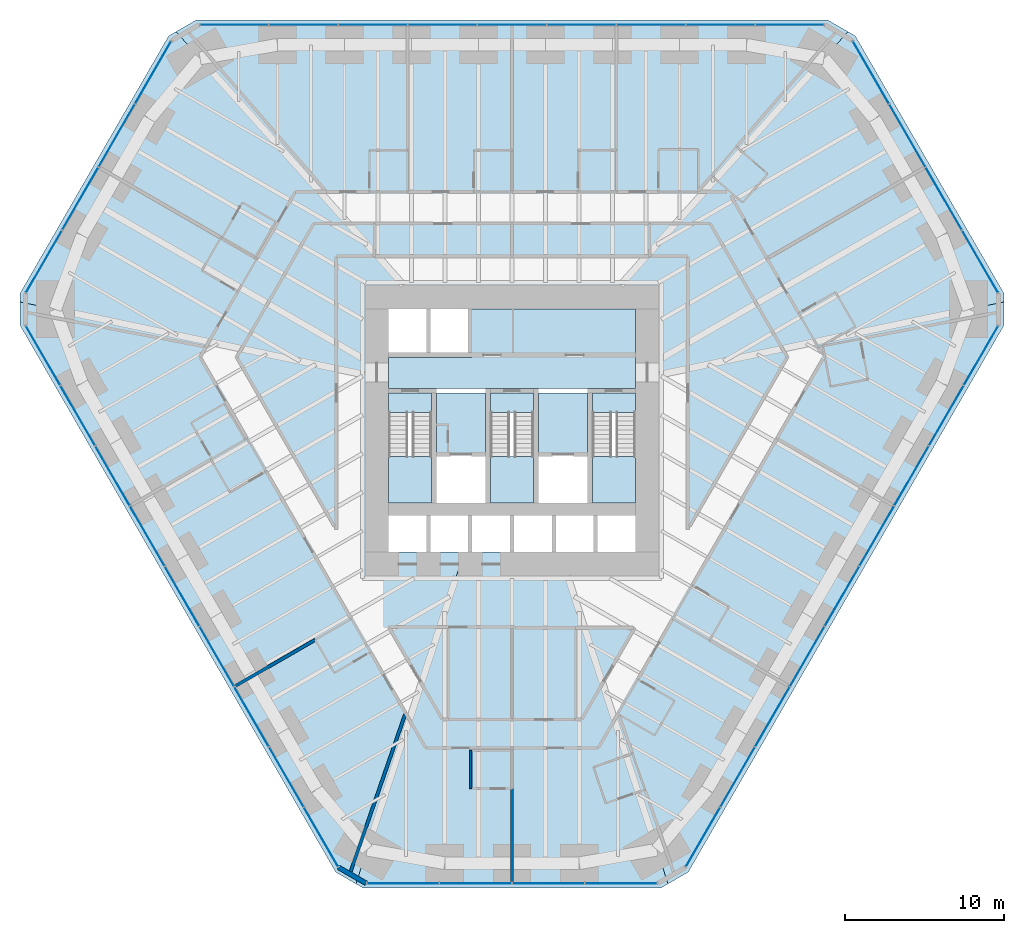
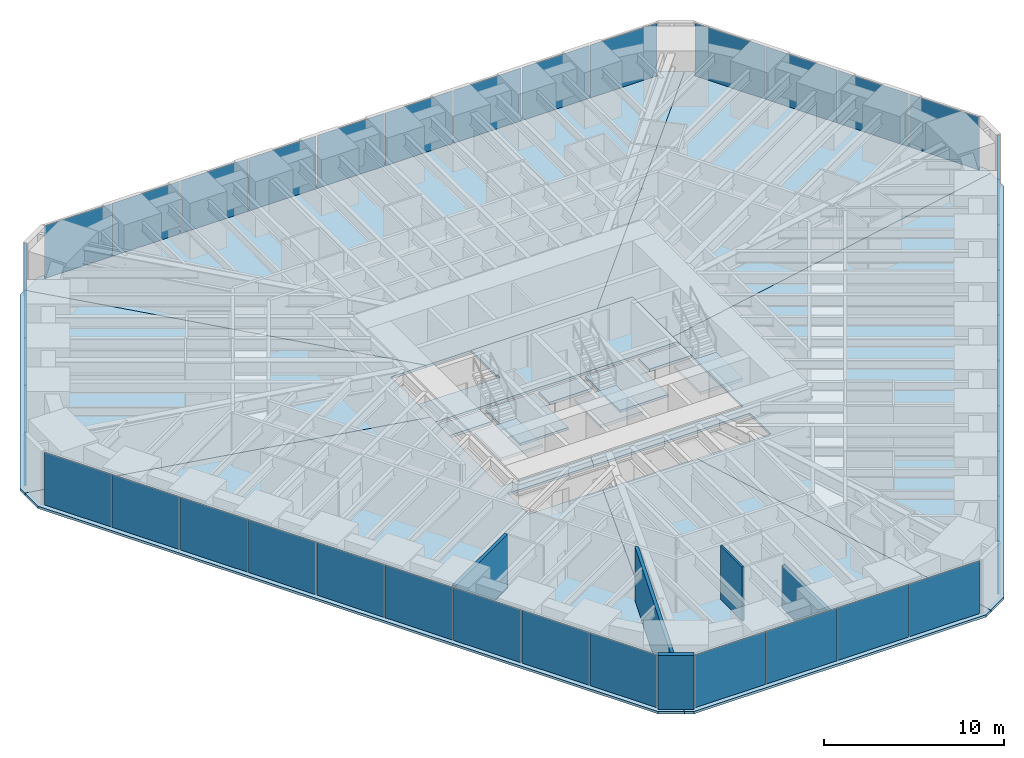
# One storey, part 10 of 17: 39 plates, 15 slabs, 5 walls, 9 elements without a shape of their own.
"""IFC4 building model written with IfcOpenShell, lengths in metres."""

from ifc_helpers import new_model, si_unit, direction, frame, frame_2d, origin, origin_2d, place, context, subcontext, project, spatial, polyline, rectangle, outline, extrude, material, layer, layer_set, type_object, element, aggregate, save


model = new_model("IFC4")

# Units and contexts
model_context = context("Model", 3, precision=1e-05, world=origin(), true_north=direction((0.0, 1.0)))
body_context = subcontext(model_context, "Body", "Model", "MODEL_VIEW")
ifc_project = project(units=[si_unit("LENGTHUNIT", "METRE"), si_unit("AREAUNIT", "SQUARE_METRE"), si_unit("VOLUMEUNIT", "CUBIC_METRE"), si_unit("PLANEANGLEUNIT", "RADIAN"), si_unit("MASSUNIT", "GRAM", prefix="KILO")], contexts=[model_context])

# Site, building, storey
site_placement = place(None, origin())
site = spatial("IfcSite", under=ifc_project, at=site_placement, CompositionType="ELEMENT")
building_placement = place(site_placement, origin())
building = spatial("IfcBuilding", under=site, at=building_placement, Name="Sandreach Pilgrim Tower", CompositionType="ELEMENT")
storey_placement = place(building_placement, frame((0.0, 0.0, 45.800048828125)))
storey = spatial("IfcBuildingStorey", under=building, at=storey_placement, Name="L10", CompositionType="ELEMENT", Elevation=45.800048828125)

# Curtain wall, plates
ifc_material_1 = material(Name="Aluminium framed curtain wall", Category="aluminium")
curtain_wall_type = type_object("IfcCurtainWallType", Name="Hostel tower curtain wall", PredefinedType="NOTDEFINED", material=ifc_material_1)
curtain_wall_1_placement = place(storey_placement, origin())
curtain_wall_1 = element("IfcCurtainWall", 1, at=curtain_wall_1_placement, inside=storey, type_object=curtain_wall_type, Name="CW-1 L10 N", PredefinedType="NOTDEFINED")
ifc_material_2 = material(Name="Insulating glass unit 6 heat-strengthened + 12 argon + 6 heat-strengthened", Category="glass")
ifc_layer_1 = layer(ifc_material_2, 0.02392578125)
ifc_layer_set_1 = layer_set([ifc_layer_1], Name="CW-1 panel")
plate_type = type_object("IfcPlateType", Name="CW-1 panel", PredefinedType="CURTAIN_PANEL", material=ifc_layer_set_1)
plate_1_placement = place(storey_placement, frame((-17.469970703125, 23.94873046875, 0.0), z_axis=(0.0, 0.0, 1.0), x_axis=(1.0, 0.0, 0.0)))
plate_1 = element("IfcPlate", 2, at=plate_1_placement, type_object=plate_type, Name="CW-1 panel 1", PredefinedType="CURTAIN_PANEL", context=body_context, shape_type="SweptSolid", body=[
    extrude(rectangle(XDim=4.274169921875, YDim=0.02392578125, at=origin_2d()), origin(), (0.0, 0.0, 1.0), 3.570068359375),
])
plate_2_placement = place(storey_placement, frame((-13.11474609375, 23.94873046875, 0.0), z_axis=(0.0, 0.0, 1.0), x_axis=(1.0, 0.0, 0.0)))
plate_2 = element("IfcPlate", 3, at=plate_2_placement, type_object=plate_type, Name="CW-1 panel 2", PredefinedType="CURTAIN_PANEL", context=body_context, shape_type="SweptSolid", body=[
    extrude(rectangle(XDim=4.306640625, YDim=0.02392578125, at=origin_2d()), origin(), (0.0, 0.0, 1.0), 3.570068359375),
])
plate_3_placement = place(storey_placement, frame((-8.7431640625, 23.94873046875, 0.0), z_axis=(0.0, 0.0, 1.0), x_axis=(1.0, 0.0, 0.0)))
plate_3 = element("IfcPlate", 4, at=plate_3_placement, type_object=plate_type, Name="CW-1 panel 3", PredefinedType="CURTAIN_PANEL", context=body_context, shape_type="SweptSolid", body=[
    extrude(rectangle(XDim=4.306640625, YDim=0.02392578125, at=origin_2d()), origin(), (0.0, 0.0, 1.0), 3.570068359375),
])
plate_4_placement = place(storey_placement, frame((-4.37158203125, 23.94873046875, 0.0), z_axis=(0.0, 0.0, 1.0), x_axis=(1.0, 0.0, 0.0)))
plate_4 = element("IfcPlate", 5, at=plate_4_placement, type_object=plate_type, Name="CW-1 panel 4", PredefinedType="CURTAIN_PANEL", context=body_context, shape_type="SweptSolid", body=[
    extrude(rectangle(XDim=4.306640625, YDim=0.02392578125, at=origin_2d()), origin(), (0.0, 0.0, 1.0), 3.570068359375),
])
plate_5_placement = place(storey_placement, frame((0.0, 23.94873046875, 0.0), z_axis=(0.0, 0.0, 1.0), x_axis=(1.0, 0.0, 0.0)))
plate_5 = element("IfcPlate", 6, at=plate_5_placement, type_object=plate_type, Name="CW-1 panel 5", PredefinedType="CURTAIN_PANEL", context=body_context, shape_type="SweptSolid", body=[
    extrude(rectangle(XDim=4.306640625, YDim=0.02392578125, at=origin_2d()), origin(), (0.0, 0.0, 1.0), 3.570068359375),
])
plate_6_placement = place(storey_placement, frame((4.37158203125, 23.94873046875, 0.0), z_axis=(0.0, 0.0, 1.0), x_axis=(1.0, 0.0, 0.0)))
plate_6 = element("IfcPlate", 7, at=plate_6_placement, type_object=plate_type, Name="CW-1 panel 6", PredefinedType="CURTAIN_PANEL", context=body_context, shape_type="SweptSolid", body=[
    extrude(rectangle(XDim=4.306640625, YDim=0.02392578125, at=origin_2d()), origin(), (0.0, 0.0, 1.0), 3.570068359375),
])
plate_7_placement = place(storey_placement, frame((8.7431640625, 23.94873046875, 0.0), z_axis=(0.0, 0.0, 1.0), x_axis=(1.0, 0.0, 0.0)))
plate_7 = element("IfcPlate", 8, at=plate_7_placement, type_object=plate_type, Name="CW-1 panel 7", PredefinedType="CURTAIN_PANEL", context=body_context, shape_type="SweptSolid", body=[
    extrude(rectangle(XDim=4.306640625, YDim=0.02392578125, at=origin_2d()), origin(), (0.0, 0.0, 1.0), 3.570068359375),
])
plate_8_placement = place(storey_placement, frame((13.11474609375, 23.94873046875, 0.0), z_axis=(0.0, 0.0, 1.0), x_axis=(1.0, 0.0, 0.0)))
plate_8 = element("IfcPlate", 9, at=plate_8_placement, type_object=plate_type, Name="CW-1 panel 8", PredefinedType="CURTAIN_PANEL", context=body_context, shape_type="SweptSolid", body=[
    extrude(rectangle(XDim=4.306640625, YDim=0.02392578125, at=origin_2d()), origin(), (0.0, 0.0, 1.0), 3.570068359375),
])
plate_9_placement = place(storey_placement, frame((17.469970703125, 23.94873046875, 0.0), z_axis=(0.0, 0.0, 1.0), x_axis=(1.0, 0.0, 0.0)))
plate_9 = element("IfcPlate", 10, at=plate_9_placement, type_object=plate_type, Name="CW-1 panel 9", PredefinedType="CURTAIN_PANEL", context=body_context, shape_type="SweptSolid", body=[
    extrude(rectangle(XDim=4.274169921875, YDim=0.02392578125, at=origin_2d()), origin(), (0.0, 0.0, 1.0), 3.570068359375),
])
aggregate(curtain_wall_1, [plate_1, plate_2, plate_3, plate_4, plate_5, plate_6, plate_7, plate_8, plate_9])

curtain_wall_2_placement = place(storey_placement, origin())
curtain_wall_2 = element("IfcCurtainWall", 11, at=curtain_wall_2_placement, inside=storey, type_object=curtain_wall_type, Name="CW-1 L10 NE", PredefinedType="NOTDEFINED")
plate_10_placement = place(storey_placement, frame((22.558837890625, 20.94873046875, 0.0), z_axis=(0.0, 0.0, 1.0), x_axis=(0.5, -0.866025403784, 0.0)))
plate_10 = element("IfcPlate", 12, at=plate_10_placement, type_object=plate_type, Name="CW-1 panel 1", PredefinedType="CURTAIN_PANEL", context=body_context, shape_type="SweptSolid", body=[
    extrude(rectangle(XDim=4.488525390625, YDim=0.02392578125, at=origin_2d()), origin(), (0.0, 0.0, 1.0), 3.570068359375),
])
plate_11_placement = place(storey_placement, frame((24.84375, 16.9912109375, 0.0), z_axis=(0.0, 0.0, 1.0), x_axis=(0.5, -0.866025403784, 0.0)))
plate_11 = element("IfcPlate", 13, at=plate_11_placement, type_object=plate_type, Name="CW-1 panel 2", PredefinedType="CURTAIN_PANEL", context=body_context, shape_type="SweptSolid", body=[
    extrude(rectangle(XDim=4.52099609375, YDim=0.02392578125, at=origin_2d()), origin(), (0.0, 0.0, 1.0), 3.570068359375),
])
plate_12_placement = place(storey_placement, frame((27.13671875, 13.01953125, 0.0), z_axis=(0.0, 0.0, 1.0), x_axis=(0.5, -0.866025403784, 0.0)))
plate_12 = element("IfcPlate", 14, at=plate_12_placement, type_object=plate_type, Name="CW-1 panel 3", PredefinedType="CURTAIN_PANEL", context=body_context, shape_type="SweptSolid", body=[
    extrude(rectangle(XDim=4.52099609375, YDim=0.02392578125, at=origin_2d()), origin(), (0.0, 0.0, 1.0), 3.570068359375),
])
plate_13_placement = place(storey_placement, frame((29.421630859375, 9.06201171875, 0.0), z_axis=(0.0, 0.0, 1.0), x_axis=(0.5, -0.866025403784, 0.0)))
plate_13 = element("IfcPlate", 15, at=plate_13_placement, type_object=plate_type, Name="CW-1 panel 4", PredefinedType="CURTAIN_PANEL", context=body_context, shape_type="SweptSolid", body=[
    extrude(rectangle(XDim=4.488525390625, YDim=0.02392578125, at=origin_2d()), origin(), (0.0, 0.0, 1.0), 3.570068359375),
])
aggregate(curtain_wall_2, [plate_10, plate_11, plate_12, plate_13])

curtain_wall_3_placement = place(storey_placement, origin())
curtain_wall_3 = element("IfcCurtainWall", 16, at=curtain_wall_3_placement, inside=storey, type_object=curtain_wall_type, Name="CW-1 L10 SE", PredefinedType="NOTDEFINED")
plate_14_placement = place(storey_placement, frame((29.475341796875, 3.1552734375, 0.0), z_axis=(0.0, 0.0, 1.0), x_axis=(-0.5, -0.866025403784, 0.0)))
plate_14 = element("IfcPlate", 17, at=plate_14_placement, type_object=plate_type, Name="CW-1 panel 1", PredefinedType="CURTAIN_PANEL", context=body_context, shape_type="SweptSolid", body=[
    extrude(rectangle(XDim=4.274169921875, YDim=0.02392578125, at=origin_2d()), origin(), (0.0, 0.0, 1.0), 3.570068359375),
])
plate_15_placement = place(storey_placement, frame((27.297607421875, -0.61669921875, 0.0), z_axis=(0.0, 0.0, 1.0), x_axis=(-0.5, -0.866025403784, 0.0)))
plate_15 = element("IfcPlate", 18, at=plate_15_placement, type_object=plate_type, Name="CW-1 panel 2", PredefinedType="CURTAIN_PANEL", context=body_context, shape_type="SweptSolid", body=[
    extrude(rectangle(XDim=4.306640625, YDim=0.02392578125, at=origin_2d()), origin(), (0.0, 0.0, 1.0), 3.570068359375),
])
plate_16_placement = place(storey_placement, frame((25.11181640625, -4.402587890625, 0.0), z_axis=(0.0, 0.0, 1.0), x_axis=(-0.5, -0.866025403784, 0.0)))
plate_16 = element("IfcPlate", 19, at=plate_16_placement, type_object=plate_type, Name="CW-1 panel 3", PredefinedType="CURTAIN_PANEL", context=body_context, shape_type="SweptSolid", body=[
    extrude(rectangle(XDim=4.306640625, YDim=0.02392578125, at=origin_2d()), origin(), (0.0, 0.0, 1.0), 3.570068359375),
])
plate_17_placement = place(storey_placement, frame((22.926025390625, -8.1884765625, 0.0), z_axis=(0.0, 0.0, 1.0), x_axis=(-0.5, -0.866025403784, 0.0)))
plate_17 = element("IfcPlate", 20, at=plate_17_placement, type_object=plate_type, Name="CW-1 panel 4", PredefinedType="CURTAIN_PANEL", context=body_context, shape_type="SweptSolid", body=[
    extrude(rectangle(XDim=4.306640625, YDim=0.02392578125, at=origin_2d()), origin(), (0.0, 0.0, 1.0), 3.570068359375),
])
plate_18_placement = place(storey_placement, frame((20.740234375, -11.974365234375, 0.0), z_axis=(0.0, 0.0, 1.0), x_axis=(-0.5, -0.866025403784, 0.0)))
plate_18 = element("IfcPlate", 21, at=plate_18_placement, type_object=plate_type, Name="CW-1 panel 5", PredefinedType="CURTAIN_PANEL", context=body_context, shape_type="SweptSolid", body=[
    extrude(rectangle(XDim=4.306640625, YDim=0.02392578125, at=origin_2d()), origin(), (0.0, 0.0, 1.0), 3.570068359375),
])
plate_19_placement = place(storey_placement, frame((18.554443359375, -15.76025390625, 0.0), z_axis=(0.0, 0.0, 1.0), x_axis=(-0.5, -0.866025403784, 0.0)))
plate_19 = element("IfcPlate", 22, at=plate_19_placement, type_object=plate_type, Name="CW-1 panel 6", PredefinedType="CURTAIN_PANEL", context=body_context, shape_type="SweptSolid", body=[
    extrude(rectangle(XDim=4.306640625, YDim=0.02392578125, at=origin_2d()), origin(), (0.0, 0.0, 1.0), 3.570068359375),
])
plate_20_placement = place(storey_placement, frame((16.36865234375, -19.546142578125, 0.0), z_axis=(0.0, 0.0, 1.0), x_axis=(-0.5, -0.866025403784, 0.0)))
plate_20 = element("IfcPlate", 23, at=plate_20_placement, type_object=plate_type, Name="CW-1 panel 7", PredefinedType="CURTAIN_PANEL", context=body_context, shape_type="SweptSolid", body=[
    extrude(rectangle(XDim=4.306640625, YDim=0.02392578125, at=origin_2d()), origin(), (0.0, 0.0, 1.0), 3.570068359375),
])
plate_21_placement = place(storey_placement, frame((14.182861328125, -23.33203125, 0.0), z_axis=(0.0, 0.0, 1.0), x_axis=(-0.5, -0.866025403784, 0.0)))
plate_21 = element("IfcPlate", 24, at=plate_21_placement, type_object=plate_type, Name="CW-1 panel 8", PredefinedType="CURTAIN_PANEL", context=body_context, shape_type="SweptSolid", body=[
    extrude(rectangle(XDim=4.306640625, YDim=0.02392578125, at=origin_2d()), origin(), (0.0, 0.0, 1.0), 3.570068359375),
])
plate_22_placement = place(storey_placement, frame((12.005126953125, -27.103759765625, 0.0), z_axis=(0.0, 0.0, 1.0), x_axis=(-0.5, -0.866025403784, 0.0)))
plate_22 = element("IfcPlate", 25, at=plate_22_placement, type_object=plate_type, Name="CW-1 panel 9", PredefinedType="CURTAIN_PANEL", context=body_context, shape_type="SweptSolid", body=[
    extrude(rectangle(XDim=4.274169921875, YDim=0.02392578125, at=origin_2d()), origin(), (0.0, 0.0, 1.0), 3.570068359375),
])
aggregate(curtain_wall_3, [plate_14, plate_15, plate_16, plate_17, plate_18, plate_19, plate_20, plate_21, plate_22])

curtain_wall_4_placement = place(storey_placement, origin())
curtain_wall_4 = element("IfcCurtainWall", 26, at=curtain_wall_4_placement, inside=storey, type_object=curtain_wall_type, Name="CW-1 L10 S", PredefinedType="NOTDEFINED")
plate_23_placement = place(storey_placement, frame((6.86279296875, -30.010986328125, 0.0), z_axis=(0.0, 0.0, 1.0), x_axis=(-1.0, 0.0, 0.0)))
plate_23 = element("IfcPlate", 27, at=plate_23_placement, type_object=plate_type, Name="CW-1 panel 1", PredefinedType="CURTAIN_PANEL", context=body_context, shape_type="SweptSolid", body=[
    extrude(rectangle(XDim=4.488525390625, YDim=0.02392578125, at=origin_2d()), origin(), (0.0, 0.0, 1.0), 3.570068359375),
])
plate_24_placement = place(storey_placement, frame((2.29296875, -30.010986328125, 0.0), z_axis=(0.0, 0.0, 1.0), x_axis=(-1.0, 0.0, 0.0)))
plate_24 = element("IfcPlate", 28, at=plate_24_placement, type_object=plate_type, Name="CW-1 panel 2", PredefinedType="CURTAIN_PANEL", context=body_context, shape_type="SweptSolid", body=[
    extrude(rectangle(XDim=4.52099609375, YDim=0.02392578125, at=origin_2d()), origin(), (0.0, 0.0, 1.0), 3.570068359375),
])
plate_25_placement = place(storey_placement, frame((-2.29296875, -30.010986328125, 0.0), z_axis=(0.0, 0.0, 1.0), x_axis=(-1.0, 0.0, 0.0)))
plate_25 = element("IfcPlate", 29, at=plate_25_placement, type_object=plate_type, Name="CW-1 panel 3", PredefinedType="CURTAIN_PANEL", context=body_context, shape_type="SweptSolid", body=[
    extrude(rectangle(XDim=4.52099609375, YDim=0.02392578125, at=origin_2d()), origin(), (0.0, 0.0, 1.0), 3.570068359375),
])
plate_26_placement = place(storey_placement, frame((-6.86279296875, -30.010986328125, 0.0), z_axis=(0.0, 0.0, 1.0), x_axis=(-1.0, 0.0, 0.0)))
plate_26 = element("IfcPlate", 30, at=plate_26_placement, type_object=plate_type, Name="CW-1 panel 4", PredefinedType="CURTAIN_PANEL", context=body_context, shape_type="SweptSolid", body=[
    extrude(rectangle(XDim=4.488525390625, YDim=0.02392578125, at=origin_2d()), origin(), (0.0, 0.0, 1.0), 3.570068359375),
])
aggregate(curtain_wall_4, [plate_23, plate_24, plate_25, plate_26])

curtain_wall_5_placement = place(storey_placement, origin())
curtain_wall_5 = element("IfcCurtainWall", 31, at=curtain_wall_5_placement, inside=storey, type_object=curtain_wall_type, Name="CW-1 L10 SW", PredefinedType="NOTDEFINED")
plate_27_placement = place(storey_placement, frame((-12.005126953125, -27.103759765625, 0.0), z_axis=(0.0, 0.0, 1.0), x_axis=(-0.5, 0.866025403784, 0.0)))
plate_27 = element("IfcPlate", 32, at=plate_27_placement, type_object=plate_type, Name="CW-1 panel 1", PredefinedType="CURTAIN_PANEL", context=body_context, shape_type="SweptSolid", body=[
    extrude(rectangle(XDim=4.274169921875, YDim=0.02392578125, at=origin_2d()), origin(), (0.0, 0.0, 1.0), 3.570068359375),
])
plate_28_placement = place(storey_placement, frame((-14.182861328125, -23.33203125, 0.0), z_axis=(0.0, 0.0, 1.0), x_axis=(-0.5, 0.866025403784, 0.0)))
plate_28 = element("IfcPlate", 33, at=plate_28_placement, type_object=plate_type, Name="CW-1 panel 2", PredefinedType="CURTAIN_PANEL", context=body_context, shape_type="SweptSolid", body=[
    extrude(rectangle(XDim=4.306640625, YDim=0.02392578125, at=origin_2d()), origin(), (0.0, 0.0, 1.0), 3.570068359375),
])
plate_29_placement = place(storey_placement, frame((-16.36865234375, -19.546142578125, 0.0), z_axis=(0.0, 0.0, 1.0), x_axis=(-0.5, 0.866025403784, 0.0)))
plate_29 = element("IfcPlate", 34, at=plate_29_placement, type_object=plate_type, Name="CW-1 panel 3", PredefinedType="CURTAIN_PANEL", context=body_context, shape_type="SweptSolid", body=[
    extrude(rectangle(XDim=4.306640625, YDim=0.02392578125, at=origin_2d()), origin(), (0.0, 0.0, 1.0), 3.570068359375),
])
plate_30_placement = place(storey_placement, frame((-18.554443359375, -15.76025390625, 0.0), z_axis=(0.0, 0.0, 1.0), x_axis=(-0.5, 0.866025403784, 0.0)))
plate_30 = element("IfcPlate", 35, at=plate_30_placement, type_object=plate_type, Name="CW-1 panel 4", PredefinedType="CURTAIN_PANEL", context=body_context, shape_type="SweptSolid", body=[
    extrude(rectangle(XDim=4.306640625, YDim=0.02392578125, at=origin_2d()), origin(), (0.0, 0.0, 1.0), 3.570068359375),
])
plate_31_placement = place(storey_placement, frame((-20.740234375, -11.974365234375, 0.0), z_axis=(0.0, 0.0, 1.0), x_axis=(-0.5, 0.866025403784, 0.0)))
plate_31 = element("IfcPlate", 36, at=plate_31_placement, type_object=plate_type, Name="CW-1 panel 5", PredefinedType="CURTAIN_PANEL", context=body_context, shape_type="SweptSolid", body=[
    extrude(rectangle(XDim=4.306640625, YDim=0.02392578125, at=origin_2d()), origin(), (0.0, 0.0, 1.0), 3.570068359375),
])
plate_32_placement = place(storey_placement, frame((-22.926025390625, -8.1884765625, 0.0), z_axis=(0.0, 0.0, 1.0), x_axis=(-0.5, 0.866025403784, 0.0)))
plate_32 = element("IfcPlate", 37, at=plate_32_placement, type_object=plate_type, Name="CW-1 panel 6", PredefinedType="CURTAIN_PANEL", context=body_context, shape_type="SweptSolid", body=[
    extrude(rectangle(XDim=4.306640625, YDim=0.02392578125, at=origin_2d()), origin(), (0.0, 0.0, 1.0), 3.570068359375),
])
plate_33_placement = place(storey_placement, frame((-25.11181640625, -4.402587890625, 0.0), z_axis=(0.0, 0.0, 1.0), x_axis=(-0.5, 0.866025403784, 0.0)))
plate_33 = element("IfcPlate", 38, at=plate_33_placement, type_object=plate_type, Name="CW-1 panel 7", PredefinedType="CURTAIN_PANEL", context=body_context, shape_type="SweptSolid", body=[
    extrude(rectangle(XDim=4.306640625, YDim=0.02392578125, at=origin_2d()), origin(), (0.0, 0.0, 1.0), 3.570068359375),
])
plate_34_placement = place(storey_placement, frame((-27.297607421875, -0.61669921875, 0.0), z_axis=(0.0, 0.0, 1.0), x_axis=(-0.5, 0.866025403784, 0.0)))
plate_34 = element("IfcPlate", 39, at=plate_34_placement, type_object=plate_type, Name="CW-1 panel 8", PredefinedType="CURTAIN_PANEL", context=body_context, shape_type="SweptSolid", body=[
    extrude(rectangle(XDim=4.306640625, YDim=0.02392578125, at=origin_2d()), origin(), (0.0, 0.0, 1.0), 3.570068359375),
])
plate_35_placement = place(storey_placement, frame((-29.475341796875, 3.1552734375, 0.0), z_axis=(0.0, 0.0, 1.0), x_axis=(-0.5, 0.866025403784, 0.0)))
plate_35 = element("IfcPlate", 40, at=plate_35_placement, type_object=plate_type, Name="CW-1 panel 9", PredefinedType="CURTAIN_PANEL", context=body_context, shape_type="SweptSolid", body=[
    extrude(rectangle(XDim=4.274169921875, YDim=0.02392578125, at=origin_2d()), origin(), (0.0, 0.0, 1.0), 3.570068359375),
])
aggregate(curtain_wall_5, [plate_27, plate_28, plate_29, plate_30, plate_31, plate_32, plate_33, plate_34, plate_35])

curtain_wall_6_placement = place(storey_placement, origin())
curtain_wall_6 = element("IfcCurtainWall", 41, at=curtain_wall_6_placement, inside=storey, type_object=curtain_wall_type, Name="CW-1 L10 NW", PredefinedType="NOTDEFINED")
plate_36_placement = place(storey_placement, frame((-29.421630859375, 9.06201171875, 0.0), z_axis=(0.0, 0.0, 1.0), x_axis=(0.5, 0.866025403784, 0.0)))
plate_36 = element("IfcPlate", 42, at=plate_36_placement, type_object=plate_type, Name="CW-1 panel 1", PredefinedType="CURTAIN_PANEL", context=body_context, shape_type="SweptSolid", body=[
    extrude(rectangle(XDim=4.488525390625, YDim=0.02392578125, at=origin_2d()), origin(), (0.0, 0.0, 1.0), 3.570068359375),
])
plate_37_placement = place(storey_placement, frame((-27.13671875, 13.01953125, 0.0), z_axis=(0.0, 0.0, 1.0), x_axis=(0.5, 0.866025403784, 0.0)))
plate_37 = element("IfcPlate", 43, at=plate_37_placement, type_object=plate_type, Name="CW-1 panel 2", PredefinedType="CURTAIN_PANEL", context=body_context, shape_type="SweptSolid", body=[
    extrude(rectangle(XDim=4.52099609375, YDim=0.02392578125, at=origin_2d()), origin(), (0.0, 0.0, 1.0), 3.570068359375),
])
plate_38_placement = place(storey_placement, frame((-24.84375, 16.9912109375, 0.0), z_axis=(0.0, 0.0, 1.0), x_axis=(0.5, 0.866025403784, 0.0)))
plate_38 = element("IfcPlate", 44, at=plate_38_placement, type_object=plate_type, Name="CW-1 panel 3", PredefinedType="CURTAIN_PANEL", context=body_context, shape_type="SweptSolid", body=[
    extrude(rectangle(XDim=4.52099609375, YDim=0.02392578125, at=origin_2d()), origin(), (0.0, 0.0, 1.0), 3.570068359375),
])
plate_39_placement = place(storey_placement, frame((-22.558837890625, 20.94873046875, 0.0), z_axis=(0.0, 0.0, 1.0), x_axis=(0.5, 0.866025403784, 0.0)))
plate_39 = element("IfcPlate", 45, at=plate_39_placement, type_object=plate_type, Name="CW-1 panel 4", PredefinedType="CURTAIN_PANEL", context=body_context, shape_type="SweptSolid", body=[
    extrude(rectangle(XDim=4.488525390625, YDim=0.02392578125, at=origin_2d()), origin(), (0.0, 0.0, 1.0), 3.570068359375),
])
aggregate(curtain_wall_6, [plate_36, plate_37, plate_38, plate_39])

# Slabs
ifc_material_3 = material(Name="Concrete 8000 psi", Category="concrete")
ifc_layer_2 = layer(ifc_material_3, 0.159912109375)
ifc_layer_set_2 = layer_set([ifc_layer_2], Name="Composite floor slab 160")
slab_type_1 = type_object("IfcSlabType", Name="Composite floor slab 160", PredefinedType="FLOOR", material=ifc_layer_set_2)
slab_1_placement = place(storey_placement, frame((0.0, 0.0, -0.16015625)))
element("IfcSlab", 46, at=slab_1_placement, inside=storey, type_object=slab_type_1, Name="Floor slab L10 N sector", PredefinedType="FLOOR", context=body_context, shape_type="SweptSolid", body=[
    extrude(outline(polyline([(-19.84521484375, 24.248779296875), (19.84521484375, 24.248779296875), (21.115478515625, 23.515380859375), (5.477294921875, 6.10009765625), (-5.477294921875, 6.10009765625), (-21.115478515625, 23.515380859375), (-19.84521484375, 24.248779296875)])), origin(), (0.0, 0.0, 1.0), 0.16015625),
])
slab_2_placement = place(storey_placement, frame((0.0, 0.0, -0.16015625)))
element("IfcSlab", 47, at=slab_2_placement, inside=storey, type_object=slab_type_1, Name="Floor slab L10 NE sector", PredefinedType="FLOOR", context=body_context, shape_type="SweptSolid", body=[
    extrude(outline(polyline([(21.577392578125, 23.248779296875), (30.922607421875, 7.062255859375), (30.922607421875, 6.52880859375), (7.75, 1.63623046875), (7.75, 6.10009765625), (5.477294921875, 6.10009765625), (21.115478515625, 23.515380859375), (21.577392578125, 23.248779296875)])), origin(), (0.0, 0.0, 1.0), 0.16015625),
])
slab_3_placement = place(storey_placement, frame((0.0, 0.0, -0.16015625)))
element("IfcSlab", 48, at=slab_3_placement, inside=storey, type_object=slab_type_1, Name="Floor slab L10 SE sector", PredefinedType="FLOOR", context=body_context, shape_type="SweptSolid", body=[
    extrude(outline(polyline([(11.077392578125, -29.310791015625), (9.80712890625, -30.044189453125), (3.003173828125, -9.199951171875), (7.75, -9.199951171875), (7.75, -6.89990234375), (-2.252197265625, -6.89990234375), (-1.9912109375, -6.10009765625), (7.75, -6.10009765625), (7.75, 1.63623046875), (30.922607421875, 6.52880859375), (30.922607421875, 5.062255859375), (11.077392578125, -29.310791015625)])), origin(), (0.0, 0.0, 1.0), 0.16015625),
])
slab_4_placement = place(storey_placement, frame((0.0, 0.0, -0.16015625)))
element("IfcSlab", 49, at=slab_4_placement, inside=storey, type_object=slab_type_1, Name="Floor slab L10 S sector", PredefinedType="FLOOR", context=body_context, shape_type="SweptSolid", body=[
    extrude(outline(polyline([(9.34521484375, -30.310791015625), (-9.34521484375, -30.310791015625), (-9.80712890625, -30.044189453125), (-3.003173828125, -9.199951171875), (3.003173828125, -9.199951171875), (9.80712890625, -30.044189453125), (9.34521484375, -30.310791015625)])), origin(), (0.0, 0.0, 1.0), 0.16015625),
])
slab_5_placement = place(storey_placement, frame((0.0, 0.0, -0.16015625)))
element("IfcSlab", 50, at=slab_5_placement, inside=storey, type_object=slab_type_1, Name="Floor slab L10 SW sector", PredefinedType="FLOOR", context=body_context, shape_type="SweptSolid", body=[
    extrude(outline(polyline([(-11.077392578125, -29.310791015625), (-30.922607421875, 5.062255859375), (-30.922607421875, 6.52880859375), (-7.75, 1.63623046875), (-7.75, -6.10009765625), (-1.9912109375, -6.10009765625), (-2.252197265625, -6.89990234375), (-7.75, -6.89990234375), (-7.75, -9.199951171875), (-3.003173828125, -9.199951171875), (-9.80712890625, -30.044189453125), (-11.077392578125, -29.310791015625)])), origin(), (0.0, 0.0, 1.0), 0.16015625),
])
slab_6_placement = place(storey_placement, frame((0.0, 0.0, -0.16015625)))
element("IfcSlab", 51, at=slab_6_placement, inside=storey, type_object=slab_type_1, Name="Floor slab L10 NW sector", PredefinedType="FLOOR", context=body_context, shape_type="SweptSolid", body=[
    extrude(outline(polyline([(-30.922607421875, 7.062255859375), (-21.577392578125, 23.248779296875), (-21.115478515625, 23.515380859375), (-5.477294921875, 6.10009765625), (-7.75, 6.10009765625), (-7.75, 1.63623046875), (-30.922607421875, 6.52880859375), (-30.922607421875, 7.062255859375)])), origin(), (0.0, 0.0, 1.0), 0.16015625),
])
slab_7_placement = place(storey_placement, frame((0.0, 0.0, -0.16015625)))
element("IfcSlab", 52, at=slab_7_placement, inside=storey, type_object=slab_type_1, Name="Core floor slab and stores L10", PredefinedType="FLOOR", context=body_context, shape_type="SweptSolid", body=[
    extrude(outline(polyline([(-7.75, 3.050048828125), (-5.375, 3.050048828125), (-5.125, 3.050048828125), (-2.5, 3.050048828125), (-2.5, 3.35009765625), (-2.60009765625, 3.35009765625), (-2.60009765625, 6.10009765625), (7.75, 6.10009765625), (7.75, 1.10009765625), (5.050048828125, 1.10009765625), (4.75, 1.10009765625), (1.64990234375, 1.10009765625), (1.35009765625, 1.10009765625), (-1.35009765625, 1.10009765625), (-1.64990234375, 1.10009765625), (-4.75, 1.10009765625), (-5.050048828125, 1.10009765625), (-7.75, 1.10009765625), (-7.75, 3.050048828125)])), origin(), (0.0, 0.0, 1.0), 0.16015625),
])
slab_8_placement = place(storey_placement, frame((0.0, 0.0, -0.16015625)))
element("IfcSlab", 53, at=slab_8_placement, inside=storey, type_object=slab_type_1, Name="Core floor slab and stores L10 2", PredefinedType="FLOOR", context=body_context, shape_type="SweptSolid", body=[
    extrude(outline(polyline([(-1.64990234375, -3.050048828125), (-4.75, -3.050048828125), (-4.75, 0.800048828125), (-1.64990234375, 0.800048828125), (-1.64990234375, -3.050048828125)])), origin(), (0.0, 0.0, 1.0), 0.16015625),
])
slab_9_placement = place(storey_placement, frame((0.0, 0.0, -0.16015625)))
element("IfcSlab", 54, at=slab_9_placement, inside=storey, type_object=slab_type_1, Name="Core floor slab and stores L10 3", PredefinedType="FLOOR", context=body_context, shape_type="SweptSolid", body=[
    extrude(outline(polyline([(4.75, -3.050048828125), (1.64990234375, -3.050048828125), (1.64990234375, 0.800048828125), (4.75, 0.800048828125), (4.75, -3.050048828125)])), origin(), (0.0, 0.0, 1.0), 0.16015625),
])

# Stair, slabs
ifc_material_4 = material(Name="Concrete 8000 psi", Category="concrete")
stair_type = type_object("IfcStairType", Name="Core exit stair", PredefinedType="HALF_TURN_STAIR", material=ifc_material_4)
stair_1_placement = place(storey_placement, origin())
stair_1 = element("IfcStair", 55, at=stair_1_placement, inside=storey, type_object=stair_type, Name="Exit stair ST1 L10", PredefinedType="HALF_TURN_STAIR")
ifc_material_5 = material(Name="Concrete 8000 psi", Category="concrete")
ifc_layer_3 = layer(ifc_material_5, 0.199951171875)
ifc_layer_set_3 = layer_set([ifc_layer_3], Name="Core stair landing 200")
slab_type_2 = type_object("IfcSlabType", Name="Core stair landing 200", PredefinedType="LANDING", material=ifc_layer_set_3)
slab_10_placement = place(storey_placement, frame((0.0, 0.0, -0.199951171875)))
slab_10 = element("IfcSlab", 56, at=slab_10_placement, type_object=slab_type_2, Name="ST1 landing 1", PredefinedType="LANDING", context=body_context, shape_type="SweptSolid", body=[
    extrude(outline(polyline([(-7.75, -0.425048828125), (-5.050048828125, -0.425048828125), (-5.050048828125, 0.800048828125), (-7.75, 0.800048828125), (-7.75, -0.425048828125)])), origin(), (0.0, 0.0, 1.0), 0.199951171875),
])
slab_11_placement = place(storey_placement, frame((0.0, 0.0, 1.699951171875)))
slab_11 = element("IfcSlab", 57, at=slab_11_placement, type_object=slab_type_2, Name="ST1 landing 2", PredefinedType="LANDING", context=body_context, shape_type="SweptSolid", body=[
    extrude(outline(polyline([(-7.75, -6.10009765625), (-5.050048828125, -6.10009765625), (-5.050048828125, -3.175048828125), (-7.75, -3.175048828125), (-7.75, -6.10009765625)])), origin(), (0.0, 0.0, 1.0), 0.199951171875),
])
aggregate(stair_1, [slab_10, slab_11])

stair_2_placement = place(storey_placement, origin())
stair_2 = element("IfcStair", 58, at=stair_2_placement, inside=storey, type_object=stair_type, Name="Exit stair ST3 L10", PredefinedType="HALF_TURN_STAIR")
slab_12_placement = place(storey_placement, frame((0.0, 0.0, -0.199951171875)))
slab_12 = element("IfcSlab", 59, at=slab_12_placement, type_object=slab_type_2, Name="ST3 landing 1", PredefinedType="LANDING", context=body_context, shape_type="SweptSolid", body=[
    extrude(outline(polyline([(-1.35009765625, -0.425048828125), (1.35009765625, -0.425048828125), (1.35009765625, 0.800048828125), (-1.35009765625, 0.800048828125), (-1.35009765625, -0.425048828125)])), origin(), (0.0, 0.0, 1.0), 0.199951171875),
])
slab_13_placement = place(storey_placement, frame((0.0, 0.0, 1.699951171875)))
slab_13 = element("IfcSlab", 60, at=slab_13_placement, type_object=slab_type_2, Name="ST3 landing 2", PredefinedType="LANDING", context=body_context, shape_type="SweptSolid", body=[
    extrude(outline(polyline([(-1.35009765625, -6.10009765625), (1.35009765625, -6.10009765625), (1.35009765625, -3.175048828125), (-1.35009765625, -3.175048828125), (-1.35009765625, -6.10009765625)])), origin(), (0.0, 0.0, 1.0), 0.199951171875),
])
aggregate(stair_2, [slab_12, slab_13])

stair_3_placement = place(storey_placement, origin())
stair_3 = element("IfcStair", 61, at=stair_3_placement, inside=storey, type_object=stair_type, Name="Exit stair ST2 L10", PredefinedType="HALF_TURN_STAIR")
slab_14_placement = place(storey_placement, frame((0.0, 0.0, -0.199951171875)))
slab_14 = element("IfcSlab", 62, at=slab_14_placement, type_object=slab_type_2, Name="ST2 landing 1", PredefinedType="LANDING", context=body_context, shape_type="SweptSolid", body=[
    extrude(outline(polyline([(5.050048828125, -0.425048828125), (7.75, -0.425048828125), (7.75, 0.800048828125), (5.050048828125, 0.800048828125), (5.050048828125, -0.425048828125)])), origin(), (0.0, 0.0, 1.0), 0.199951171875),
])
slab_15_placement = place(storey_placement, frame((0.0, 0.0, 1.699951171875)))
slab_15 = element("IfcSlab", 63, at=slab_15_placement, type_object=slab_type_2, Name="ST2 landing 2", PredefinedType="LANDING", context=body_context, shape_type="SweptSolid", body=[
    extrude(outline(polyline([(5.050048828125, -6.10009765625), (7.75, -6.10009765625), (7.75, -3.175048828125), (5.050048828125, -3.175048828125), (5.050048828125, -6.10009765625)])), origin(), (0.0, 0.0, 1.0), 0.199951171875),
])
aggregate(stair_3, [slab_14, slab_15])

# Walls
ifc_material_6 = material(Name="Moisture-resistant gypsum board on steel studs", Category="steel")
ifc_layer_4 = layer(ifc_material_6, 0.1201171875)
ifc_layer_set_4 = layer_set([ifc_layer_4], Name="Bathroom partition 120")
wall_type_1 = type_object("IfcWallType", Name="Bathroom partition 120", PredefinedType="PARTITIONING", material=ifc_layer_set_4)
wall_1_placement = place(storey_placement, frame((-2.60009765625, -21.659912109375, 0.0), z_axis=(0.0, 0.0, 1.0), x_axis=(0.0, -1.0, 0.0)))
element("IfcWall", 64, at=wall_1_placement, inside=storey, type_object=wall_type_1, Name="Bathroom partition L10-053", PredefinedType="PARTITIONING", context=body_context, shape_type="SweptSolid", body=[
    extrude(rectangle(XDim=2.400146484375, YDim=0.1201171875, at=frame_2d((1.2001953125, 0.0))), origin(), (0.0, 0.0, 1.0), 3.639892578125),
])
ifc_material_7 = material(Name="Double steel stud acoustic wall, gypsum board", Category="steel")
ifc_layer_5 = layer(ifc_material_7, 0.199951171875)
ifc_layer_set_5 = layer_set([ifc_layer_5], Name="Party wall 200")
wall_type_2 = type_object("IfcWallType", Name="Party wall 200", PredefinedType="PARTITIONING", material=ifc_layer_set_5)
wall_2_placement = place(storey_placement, frame((-17.356201171875, -17.590087890625, 0.0), z_axis=(0.0, 0.0, 1.0), x_axis=(0.865929957466, 0.500165281445, 0.0)))
element("IfcWall", 65, at=wall_2_placement, inside=storey, type_object=wall_type_2, Name="Party wall L10-015", PredefinedType="PARTITIONING", context=body_context, shape_type="SweptSolid", body=[
    extrude(rectangle(XDim=5.75830078125, YDim=0.199951171875, at=frame_2d((2.879150390625, 0.0))), origin(), (0.0, 0.0, 1.0), 3.639892578125),
])
wall_3_placement = place(storey_placement, frame((-10.2001953125, -29.441650390625, 0.0), z_axis=(0.0, 0.0, 1.0), x_axis=(0.327375786306, 0.944894223996, 0.0)))
element("IfcWall", 66, at=wall_3_placement, inside=storey, type_object=wall_type_2, Name="Party wall L10-035", PredefinedType="PARTITIONING", context=body_context, shape_type="SweptSolid", body=[
    extrude(rectangle(XDim=10.62255859375, YDim=0.199951171875, at=frame_2d((5.311279296875, 0.0))), origin(), (0.0, 0.0, 1.0), 3.639892578125),
])
wall_4_placement = place(storey_placement, frame((0.0, -29.889892578125, 0.0), z_axis=(0.0, 0.0, 1.0), x_axis=(0.0, 1.0, 0.0)))
element("IfcWall", 67, at=wall_4_placement, inside=storey, type_object=wall_type_2, Name="Party wall L10-056", PredefinedType="PARTITIONING", context=body_context, shape_type="SweptSolid", body=[
    extrude(rectangle(XDim=5.829833984375, YDim=0.199951171875, at=frame_2d((2.9150390625, 0.0))), origin(), (0.0, 0.0, 1.0), 2.860107421875),
])
ifc_material_8 = material(Name="Terracotta rainscreen on concrete", Category="masonry")
ifc_layer_6 = layer(ifc_material_8, 0.300048828125)
ifc_layer_set_6 = layer_set([ifc_layer_6], Name="Terracotta chamfer pier")
wall_type_3 = type_object("IfcWallType", Name="Terracotta chamfer pier", PredefinedType="SOLIDWALL", material=ifc_layer_set_6)
wall_5_placement = place(storey_placement, frame((-9.172119140625, -30.010986328125, 0.0), z_axis=(0.0, 0.0, 1.0), x_axis=(-0.866010750942, 0.50002537861, 0.0)))
element("IfcWall", 68, at=wall_5_placement, inside=storey, type_object=wall_type_3, Name="Chamfer pier L10 S", PredefinedType="SOLIDWALL", context=body_context, shape_type="SweptSolid", body=[
    extrude(rectangle(XDim=2.0, YDim=0.300048828125, at=frame_2d((1.0, 0.0))), origin(), (0.0, 0.0, 1.0), 3.639892578125),
])

save(model, "model.ifc")
